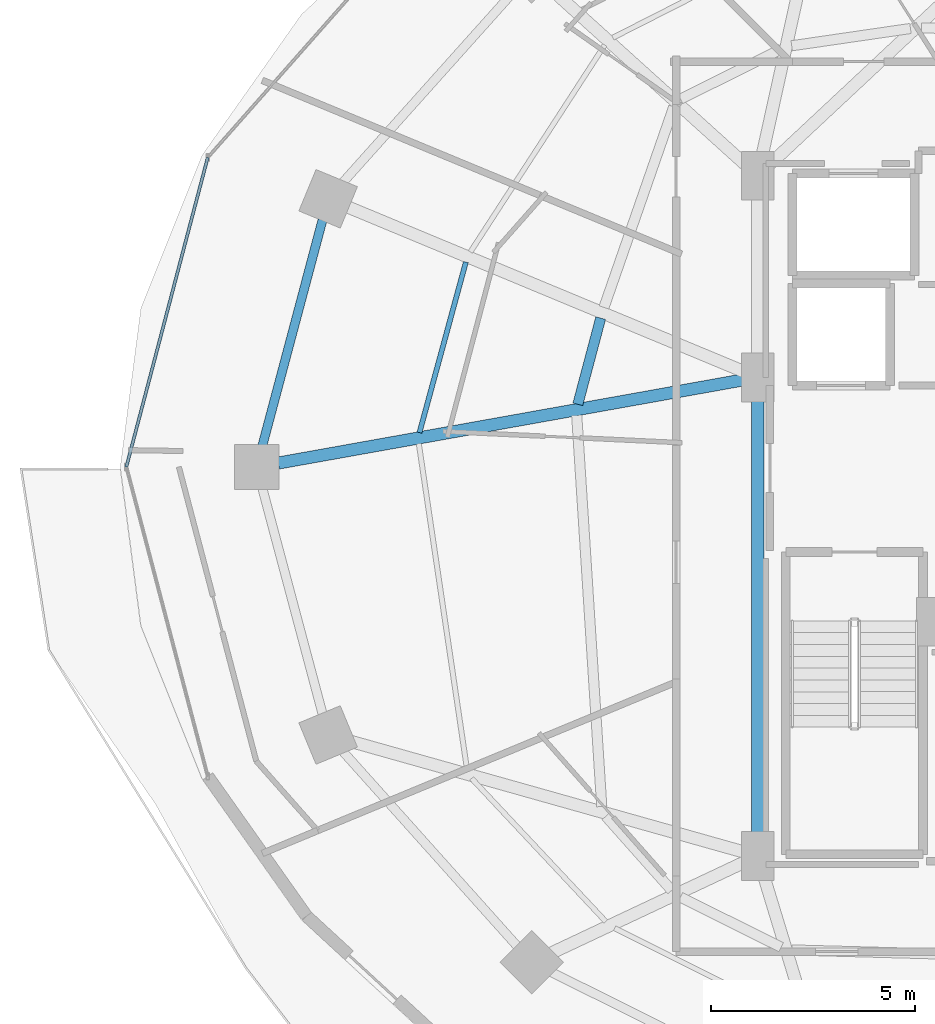
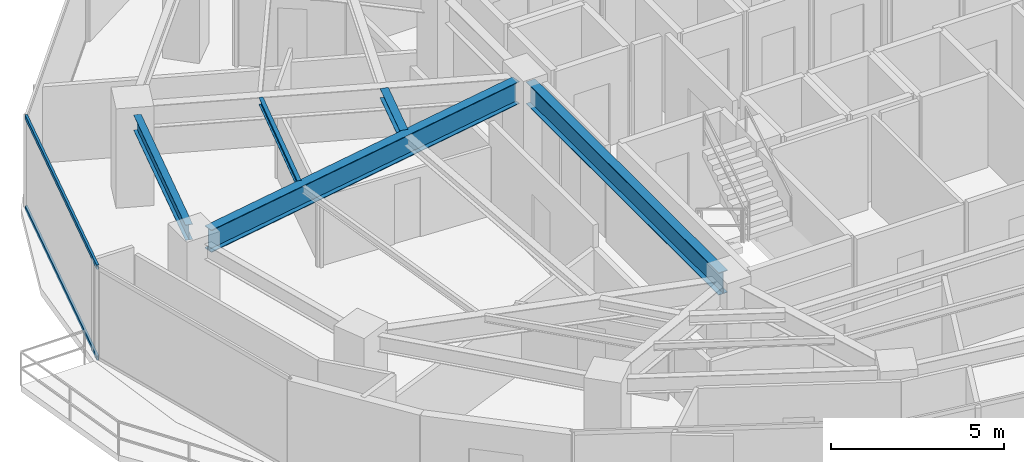
# One storey, part 8 of 31: 5 beams, 2 members, 1 element without a shape of its own.
"""IFC4 building model written with IfcOpenShell, lengths in metres."""

from ifc_helpers import new_model, si_unit, direction, frame, origin, origin_2d, place, context, subcontext, project, spatial, hollow_rectangle, i_section, extrude, material, material_profile, profile_set, type_object, element, aggregate, save


model = new_model("IFC4")

# Units and contexts
model_context = context("Model", 3, precision=1e-05, world=origin(), true_north=direction((0.0, 1.0)))
body_context = subcontext(model_context, "Body", "Model", "MODEL_VIEW")
ifc_project = project(units=[si_unit("LENGTHUNIT", "METRE"), si_unit("AREAUNIT", "SQUARE_METRE"), si_unit("VOLUMEUNIT", "CUBIC_METRE"), si_unit("PLANEANGLEUNIT", "RADIAN"), si_unit("MASSUNIT", "GRAM", prefix="KILO")], contexts=[model_context])

# Site, building, storey
site_placement = place(None, origin())
site = spatial("IfcSite", under=ifc_project, at=site_placement, CompositionType="ELEMENT")
building_placement = place(site_placement, origin())
building = spatial("IfcBuilding", under=site, at=building_placement, Name="Vorneva Point Tower", CompositionType="ELEMENT")
storey_placement = place(building_placement, frame((0.0, 0.0, 103.300048828125)))
storey = spatial("IfcBuildingStorey", under=building, at=storey_placement, Name="L27", CompositionType="ELEMENT", Elevation=103.300048828125)

# Beams
ifc_material_1 = material(Name="Steel S355", Category="steel")
ifc_material_profile_1 = material_profile(ifc_material_1, i_section(OverallWidth=0.300048828125, OverallDepth=0.7880859375, WebThickness=0.014404296875, FlangeThickness=0.02197265625, at=origin_2d()), Name="80Sh1")
ifc_profile_set_1 = profile_set([ifc_material_profile_1], Name="Steel S355")
beam_type_1 = type_object("IfcBeamType", Name="BM-GRD-80Sh1", PredefinedType="USERDEFINED", material=ifc_profile_set_1)
beam_1_placement = place(storey_placement, frame((15.4794921875, 26.0947265625, 2.845947265625), z_axis=(0.984378310682, 0.176066298476, 0.0), x_axis=(-0.176066298476, 0.984378310682, 0.0)))
element("IfcBeam", 1, at=beam_1_placement, inside=storey, type_object=beam_type_1, Name="L27 Radial Primary Girder 09", ObjectType="GIRDER", PredefinedType="USERDEFINED", context=body_context, shape_type="SweptSolid", body=[
    extrude(i_section(OverallWidth=0.300048828125, OverallDepth=0.7880859375, WebThickness=0.014404296875, FlangeThickness=0.02197265625, at=origin_2d()), origin(), (0.0, 0.0, 1.0), 11.6171875),
])
beam_2_placement = place(storey_placement, frame((27.25, 16.77001953125, 2.845947265625), z_axis=(0.0, 1.0, 0.0), x_axis=(-1.0, 0.0, 0.0)))
element("IfcBeam", 2, at=beam_2_placement, inside=storey, type_object=beam_type_1, Name="L27 Core Tie Girder CT1", ObjectType="GIRDER", PredefinedType="USERDEFINED", context=body_context, shape_type="SweptSolid", body=[
    extrude(i_section(OverallWidth=0.300048828125, OverallDepth=0.7880859375, WebThickness=0.014404296875, FlangeThickness=0.02197265625, at=origin_2d()), origin(), (0.0, 0.0, 1.0), 11.10986328125),
])
ifc_material_profile_2 = material_profile(ifc_material_1, i_section(OverallWidth=0.1240234375, OverallDepth=0.248046875, WebThickness=0.0048828125, FlangeThickness=0.008056640625, at=origin_2d()), Name="25B1")
ifc_profile_set_2 = profile_set([ifc_material_profile_2], Name="Steel S355")
beam_type_2 = type_object("IfcBeamType", Name="BM-JST-25B1", PredefinedType="JOIST", material=ifc_profile_set_2)
beam_3_placement = place(storey_placement, frame((20.085693359375, 31.029052734375, 3.115966796875), z_axis=(-0.262498516755, -0.964932395923, 0.0), x_axis=(0.964932395923, -0.262498516755, 0.0)))
element("IfcBeam", 3, at=beam_3_placement, inside=storey, type_object=beam_type_2, Name="L27 Secondary Floor Beam 1.08", PredefinedType="JOIST", context=body_context, shape_type="SweptSolid", body=[
    extrude(i_section(OverallWidth=0.1240234375, OverallDepth=0.248046875, WebThickness=0.0048828125, FlangeThickness=0.008056640625, at=origin_2d()), origin(), (0.0, 0.0, 1.0), 4.339599609375),
])
ifc_material_profile_3 = material_profile(ifc_material_1, i_section(OverallWidth=0.2490234375, OverallDepth=0.333984375, WebThickness=0.008056640625, FlangeThickness=0.010986328125, at=origin_2d()), Name="35Sh1")
ifc_profile_set_3 = profile_set([ifc_material_profile_3], Name="Steel S355")
beam_type_3 = type_object("IfcBeamType", Name="BM-SEC-35Sh1", PredefinedType="BEAM", material=ifc_profile_set_3)
beam_4_placement = place(storey_placement, frame((23.39599609375, 29.6533203125, 3.072998046875), z_axis=(-0.256677044588, -0.966497229578, 0.0), x_axis=(0.966497229578, -0.256677044588, 0.0)))
element("IfcBeam", 4, at=beam_4_placement, inside=storey, type_object=beam_type_3, Name="L27 Secondary Floor Beam 2.08", PredefinedType="BEAM", context=body_context, shape_type="SweptSolid", body=[
    extrude(i_section(OverallWidth=0.2490234375, OverallDepth=0.333984375, WebThickness=0.008056640625, FlangeThickness=0.010986328125, at=origin_2d()), origin(), (0.0, 0.0, 1.0), 2.189453125),
])
ifc_material_profile_4 = material_profile(ifc_material_1, i_section(OverallWidth=0.219970703125, OverallDepth=0.54296875, WebThickness=0.009521484375, FlangeThickness=0.013427734375, at=origin_2d()), Name="55B1")
ifc_profile_set_4 = profile_set([ifc_material_profile_4], Name="Steel S355")
beam_type_4 = type_object("IfcBeamType", Name="BM-SPN-55B1", PredefinedType="SPANDREL", material=ifc_profile_set_4)
beam_5_placement = place(storey_placement, frame((16.56689453125, 32.065185546875, 2.968505859375), z_axis=(-0.257572674071, -0.966258928845, 0.0), x_axis=(0.966258928845, -0.257572674071, 0.0)))
element("IfcBeam", 5, at=beam_5_placement, inside=storey, type_object=beam_type_4, Name="L27 Perimeter Spandrel Ring Beam 08", PredefinedType="SPANDREL", context=body_context, shape_type="SweptSolid", body=[
    extrude(i_section(OverallWidth=0.219970703125, OverallDepth=0.54296875, WebThickness=0.009521484375, FlangeThickness=0.013427734375, at=origin_2d()), origin(), (0.0, 0.0, 1.0), 5.7421875),
])

# Curtain wall, members
ifc_material_2 = material(Name="Pale anodised aluminium", Category="aluminium")
curtain_wall_type = type_object("IfcCurtainWallType", Name="CW-HTL-SYS", PredefinedType="NOTDEFINED", material=ifc_material_2)
curtain_wall_placement = place(storey_placement, origin())
curtain_wall = element("IfcCurtainWall", 6, at=curtain_wall_placement, inside=storey, type_object=curtain_wall_type, Name="L27 Unitised Curtain Wall CW-L27-R03", PredefinedType="NOTDEFINED")
ifc_material_profile_5 = material_profile(ifc_material_2, hollow_rectangle(XDim=0.074951171875, YDim=0.14990234375, WallThickness=0.00390625, at=origin_2d()), Name="AL-TRN 150x75x4")
ifc_profile_set_5 = profile_set([ifc_material_profile_5], Name="Pale anodised aluminium")
member_type = type_object("IfcMemberType", Name="CW-TRN-150", PredefinedType="USERDEFINED", material=ifc_profile_set_5)
member_1_placement = place(storey_placement, frame((13.748291015625, 33.59619140625, 0.02001953125), z_axis=(-0.254409150465, -0.967096677773, 0.0), x_axis=(0.967096677773, -0.254409150465, 0.0)))
member_1 = element("IfcMember", 7, at=member_1_placement, type_object=member_type, Name="CW-L27-R03 Transom 02.1", ObjectType="TRANSOM", PredefinedType="USERDEFINED", context=body_context, shape_type="SweptSolid", body=[
    extrude(hollow_rectangle(XDim=0.074951171875, YDim=0.14990234375, WallThickness=0.00390625, at=origin_2d()), origin(), (0.0, 0.0, 1.0), 7.854736328125),
])
member_2_placement = place(storey_placement, frame((13.748291015625, 33.59619140625, 3.219970703125), z_axis=(-0.254409150465, -0.967096677773, 0.0), x_axis=(0.967096677773, -0.254409150465, 0.0)))
member_2 = element("IfcMember", 8, at=member_2_placement, type_object=member_type, Name="CW-L27-R03 Transom 02.2", ObjectType="TRANSOM", PredefinedType="USERDEFINED", context=body_context, shape_type="SweptSolid", body=[
    extrude(hollow_rectangle(XDim=0.074951171875, YDim=0.14990234375, WallThickness=0.00390625, at=origin_2d()), origin(), (0.0, 0.0, 1.0), 7.854736328125),
])
aggregate(curtain_wall, [member_1, member_2])

save(model, "model.ifc")
